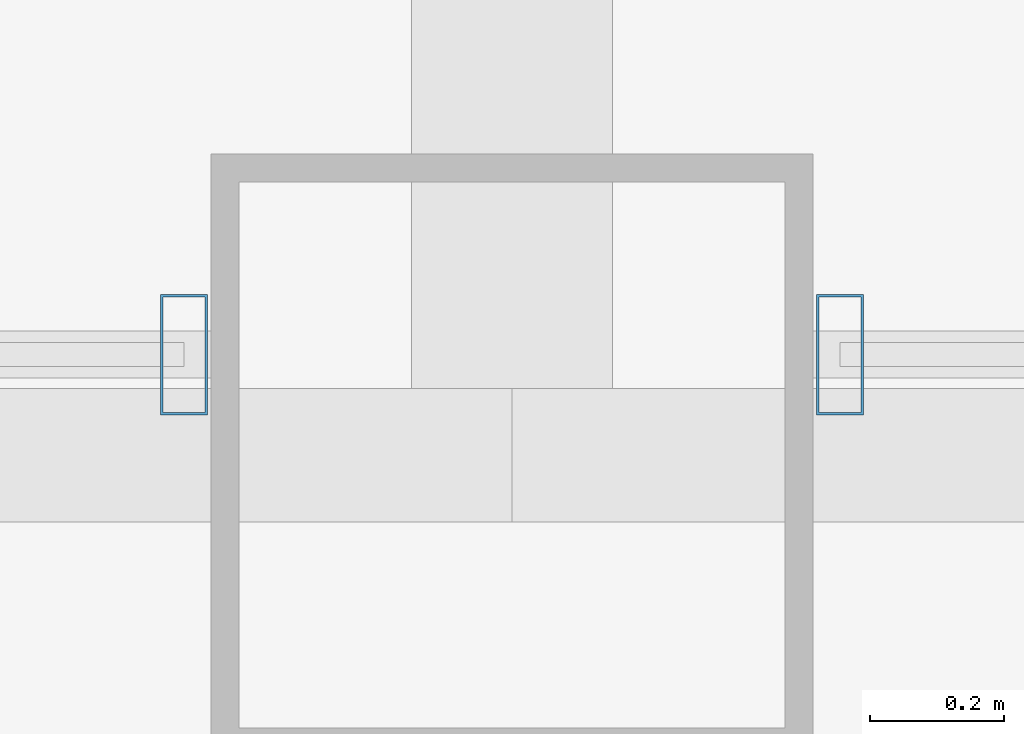
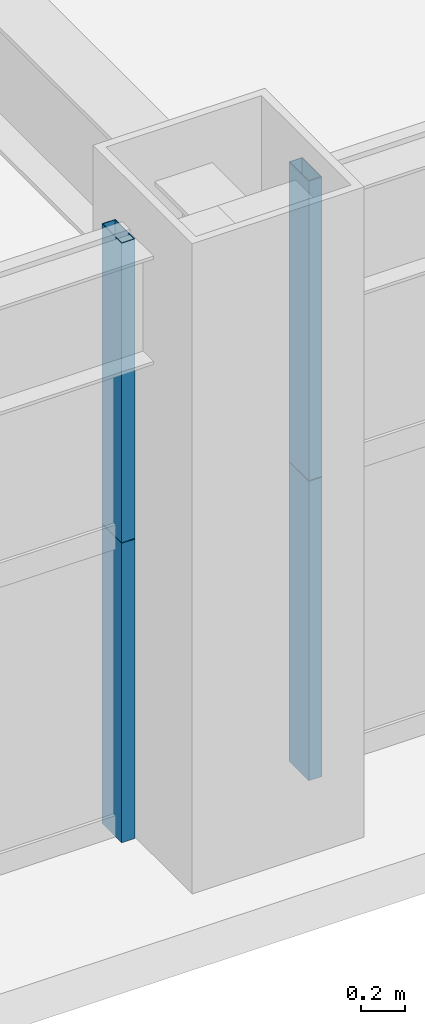
# One storey, part 9 of 38: 4 members, 2 elements without a shape of their own.
"""IFC4 building model written with IfcOpenShell, lengths in metres."""

from ifc_helpers import new_model, si_unit, direction, frame, origin, origin_2d, place, context, subcontext, project, spatial, hollow_rectangle, extrude, source, transform, mapped, material, layer, layer_set, material_profile, profile_set, type_object, element, aggregate, save


model = new_model("IFC4")

# Units and contexts
model_context = context("Model", 3, precision=1e-05, world=origin(), true_north=direction((0.0, 1.0)))
body_context = subcontext(model_context, "Body", "Model", "MODEL_VIEW")
ifc_project = project(units=[si_unit("LENGTHUNIT", "METRE"), si_unit("AREAUNIT", "SQUARE_METRE"), si_unit("VOLUMEUNIT", "CUBIC_METRE"), si_unit("PLANEANGLEUNIT", "RADIAN"), si_unit("MASSUNIT", "GRAM", prefix="KILO"), si_unit("THERMODYNAMICTEMPERATUREUNIT", "KELVIN"), si_unit("POWERUNIT", "WATT")], contexts=[model_context])

# Site, building, storey
site_placement = place(None, origin())
site = spatial("IfcSite", under=ifc_project, at=site_placement, CompositionType="ELEMENT")
building_placement = place(site_placement, origin())
building = spatial("IfcBuilding", under=site, at=building_placement, Name="Yuzanri Waterfront Tower", CompositionType="ELEMENT")
storey_placement = place(building_placement, frame((0.0, 0.0, 126.199951171875)))
storey = spatial("IfcBuildingStorey", under=building, at=storey_placement, Name="L33", CompositionType="ELEMENT", Elevation=126.199951171875)

# Curtain wall, members
ifc_material_1 = material(Name="Anodized Architectural Bronze", Category="metal")
ifc_layer = layer(ifc_material_1, 0.159912109375)
ifc_layer_set = layer_set([ifc_layer], Name="Anodized Architectural Bronze")
curtain_wall_type = type_object("IfcCurtainWallType", Name="Anodized Bronze Hotel Upper-Tier Solar-Control Unitized Curtain Wall 7800", PredefinedType="NOTDEFINED", material=ifc_layer_set)
curtain_wall_1_placement = place(storey_placement, origin())
curtain_wall_1 = element("IfcCurtainWall", 1, at=curtain_wall_1_placement, inside=storey, type_object=curtain_wall_type, Name="L33 Curtain Wall CW-L33-SL", PredefinedType="NOTDEFINED")
ifc_material_2 = material(Name="Anodized Architectural Bronze", Category="metal")
ifc_material_profile = material_profile(ifc_material_2, hollow_rectangle(XDim=0.070068359375, YDim=0.179931640625, WallThickness=0.00390625, at=origin_2d()), Name="CWM 70x180")
ifc_profile_set = profile_set([ifc_material_profile], Name="Anodized Architectural Bronze")
member_type = type_object("IfcMemberType", Name="Anodized Bronze Standard Curtain-Wall Mullion 70x180", PredefinedType="MULLION", material=ifc_profile_set)
shared_shape = source(origin(), body_context, "Body", "SweptSolid", [
    extrude(hollow_rectangle(XDim=0.070068359375, YDim=0.179931640625, WallThickness=0.00390625, at=origin_2d()), origin(), (0.0, 0.0, 1.0), 1.657958984375),
])
member_1_placement = place(storey_placement, frame((36.510009765625, 2.35009765625, 0.0), z_axis=(0.0, 0.0, 1.0), x_axis=(1.0, 0.0, 0.0)))
member_1 = element("IfcMember", 2, at=member_1_placement, type_object=member_type, Name="CW-L33-SL Lower Mullion 02", PredefinedType="MULLION", context=body_context, shape_type="MappedRepresentation", body=[
    mapped(shared_shape, transform((0.0, 0.0, 0.0), scale=1.0)),
])
member_2_placement = place(storey_placement, frame((36.510009765625, 2.35009765625, 1.662109375), z_axis=(0.0, 0.0, 1.0), x_axis=(1.0, 0.0, 0.0)))
member_2 = element("IfcMember", 3, at=member_2_placement, type_object=member_type, Name="CW-L33-SL Upper Mullion 02", PredefinedType="MULLION", context=body_context, shape_type="MappedRepresentation", body=[
    mapped(shared_shape, transform((0.0, 0.0, 0.0), scale=1.0)),
])
aggregate(curtain_wall_1, [member_1, member_2])

curtain_wall_2_placement = place(storey_placement, origin())
curtain_wall_2 = element("IfcCurtainWall", 4, at=curtain_wall_2_placement, inside=storey, type_object=curtain_wall_type, Name="L33 Curtain Wall CW-L33-SR", PredefinedType="NOTDEFINED")
member_3_placement = place(storey_placement, frame((37.489990234375, 2.35009765625, 0.0), z_axis=(0.0, 0.0, 1.0), x_axis=(1.0, 0.0, 0.0)))
member_3 = element("IfcMember", 5, at=member_3_placement, type_object=member_type, Name="CW-L33-SR Lower Mullion 00", PredefinedType="MULLION", context=body_context, shape_type="MappedRepresentation", body=[
    mapped(shared_shape, transform((0.0, 0.0, 0.0), scale=1.0)),
])
member_4_placement = place(storey_placement, frame((37.489990234375, 2.35009765625, 1.662109375), z_axis=(0.0, 0.0, 1.0), x_axis=(1.0, 0.0, 0.0)))
member_4 = element("IfcMember", 6, at=member_4_placement, type_object=member_type, Name="CW-L33-SR Upper Mullion 00", PredefinedType="MULLION", context=body_context, shape_type="MappedRepresentation", body=[
    mapped(shared_shape, transform((0.0, 0.0, 0.0), scale=1.0)),
])
aggregate(curtain_wall_2, [member_3, member_4])

save(model, "model.ifc")
